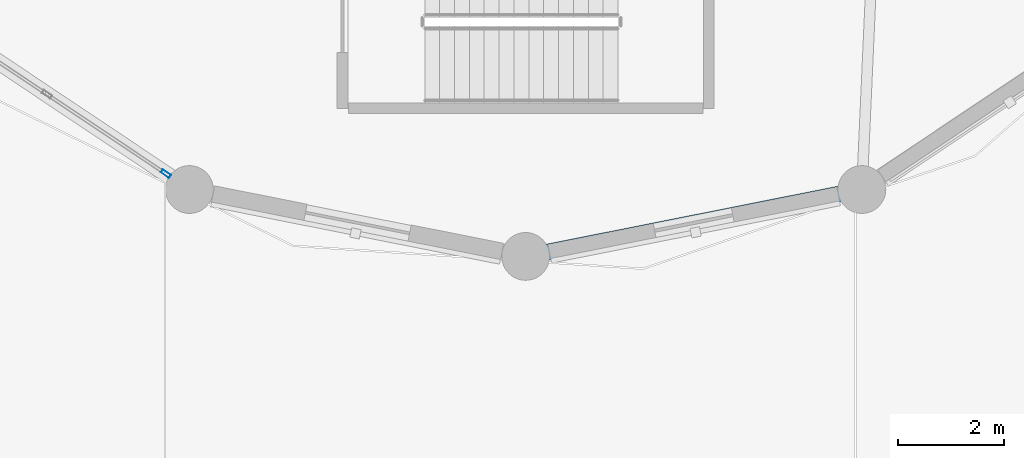
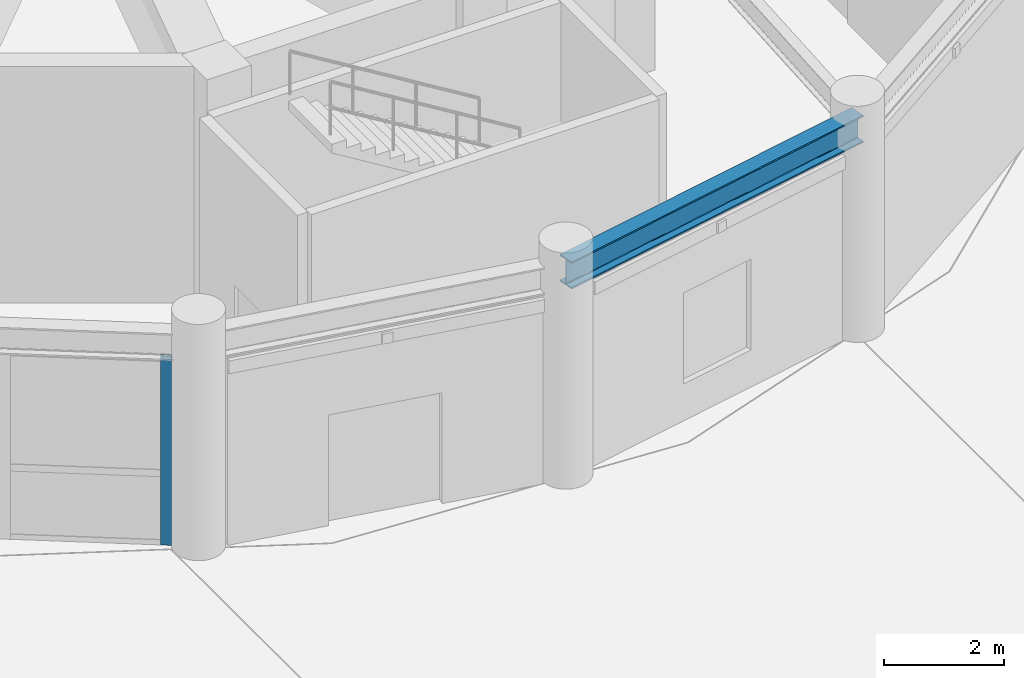
# One storey, part 13 of 40: 1 beam, 1 member, 1 element without a shape of its own.
"""IFC4 building model written with IfcOpenShell, lengths in metres."""

from ifc_helpers import new_model, si_unit, derived_unit, direction, frame, origin, origin_2d, place, context, subcontext, project, spatial, hollow_rectangle, i_section, extrude, source, transform, mapped, material, layer, layer_set, material_profile, profile_set, type_object, element, aggregate, save


model = new_model("IFC4")

# Units and contexts
model_context = context("Model", 3, precision=1e-05, world=origin(), true_north=direction((0.0, 1.0)))
body_context = subcontext(model_context, "Body", "Model", "MODEL_VIEW")
ifc_project = project(units=[si_unit("LENGTHUNIT", "METRE"), si_unit("AREAUNIT", "SQUARE_METRE"), si_unit("VOLUMEUNIT", "CUBIC_METRE"), si_unit("PLANEANGLEUNIT", "RADIAN"), si_unit("MASSUNIT", "GRAM", prefix="KILO"), derived_unit("THERMALTRANSMITTANCEUNIT", [(si_unit("POWERUNIT", "WATT"), 1), (si_unit("LENGTHUNIT", "METRE"), -2), (si_unit("THERMODYNAMICTEMPERATUREUNIT", "KELVIN"), -1)])], contexts=[model_context])

# Site, building, storey
site_placement = place(None, origin())
site = spatial("IfcSite", under=ifc_project, at=site_placement, CompositionType="ELEMENT")
building_placement = place(site_placement, origin())
building = spatial("IfcBuilding", under=site, at=building_placement, Name="Korsvarv Bourse and Concert Hall", CompositionType="ELEMENT")
storey_placement = place(building_placement, origin())
storey = spatial("IfcBuildingStorey", under=building, at=storey_placement, Name="L00", CompositionType="ELEMENT", Elevation=0.0)

# Beam
ifc_material_1 = material(Name="Steel S355", Category="steel")
ifc_material_profile_1 = material_profile(ifc_material_1, i_section(OverallWidth=0.300048828125, OverallDepth=0.550048828125, WebThickness=0.014892578125, FlangeThickness=0.029052734375, FilletRadius=0.02392578125, at=origin_2d()), Name="HEB 550")
ifc_profile_set_1 = profile_set([ifc_material_profile_1], Name="Steel S355")
beam_type = type_object("IfcBeamType", Name="BM-HEB550", PredefinedType="BEAM", material=ifc_profile_set_1)
shared_shape_1 = source(origin(), body_context, "Body", "SweptSolid", [
    extrude(i_section(OverallWidth=0.300048828125, OverallDepth=0.550048828125, WebThickness=0.014892578125, FlangeThickness=0.029052734375, FilletRadius=0.02392578125, at=origin_2d()), origin(), (0.0, 0.0, 1.0), 6.457275390625),
])
beam_placement = place(storey_placement, frame((106.800048828125, 19.449951171875, 4.10498046875), z_axis=(0.980785177113, 0.19509084129, 0.0), x_axis=(-0.19509084129, 0.980785177113, 0.0)))
element("IfcBeam", 1, at=beam_placement, inside=storey, type_object=beam_type, Name="L00 beam B-06", PredefinedType="BEAM", context=body_context, shape_type="MappedRepresentation", body=[
    mapped(shared_shape_1, transform((0.0, 0.0, 0.0), scale=1.0)),
])

# Curtain wall, member
ifc_material_2 = material(Name="Anodised aluminium and triple low-E glazing", Category="glass")
ifc_layer = layer(ifc_material_2, 0.22998046875)
ifc_layer_set = layer_set([ifc_layer], Name="Anodised aluminium and triple low-E glazing")
curtain_wall_type = type_object("IfcCurtainWallType", Name="CW-SYS-6", PredefinedType="NOTDEFINED", material=ifc_layer_set)
curtain_wall_placement = place(storey_placement, origin())
curtain_wall = element("IfcCurtainWall", 2, at=curtain_wall_placement, inside=storey, type_object=curtain_wall_type, Name="L00 CW6 curtain wall CW-L00-CH11", PredefinedType="NOTDEFINED")
ifc_material_3 = material(Name="Extruded aluminium EN AW-6063 T66", Category="aluminium")
ifc_material_profile_2 = material_profile(ifc_material_3, hollow_rectangle(XDim=0.070068359375, YDim=0.18994140625, WallThickness=0.0048828125, at=origin_2d()), Name="ALU-M 70x190")
ifc_profile_set_2 = profile_set([ifc_material_profile_2], Name="Extruded aluminium EN AW-6063 T66")
member_type = type_object("IfcMemberType", Name="CWM-190", PredefinedType="MULLION", material=ifc_profile_set_2)
shared_shape_2 = source(origin(), body_context, "Body", "SweptSolid", [
    extrude(hollow_rectangle(XDim=0.070068359375, YDim=0.18994140625, WallThickness=0.0048828125, at=origin_2d()), origin(), (0.0, 0.0, 1.0), 3.830078125),
])
member_placement = place(storey_placement, frame((100.021484375, 21.007080078125, 0.0), z_axis=(0.0, 0.0, 1.0), x_axis=(0.555571024599, 0.831469083386, 0.0)))
member = element("IfcMember", 3, at=member_placement, type_object=member_type, Name="CW6 mullion 3", PredefinedType="MULLION", context=body_context, shape_type="MappedRepresentation", body=[
    mapped(shared_shape_2, transform((0.0, 0.0, 0.0), scale=1.0)),
])
aggregate(curtain_wall, [member])

save(model, "model.ifc")
